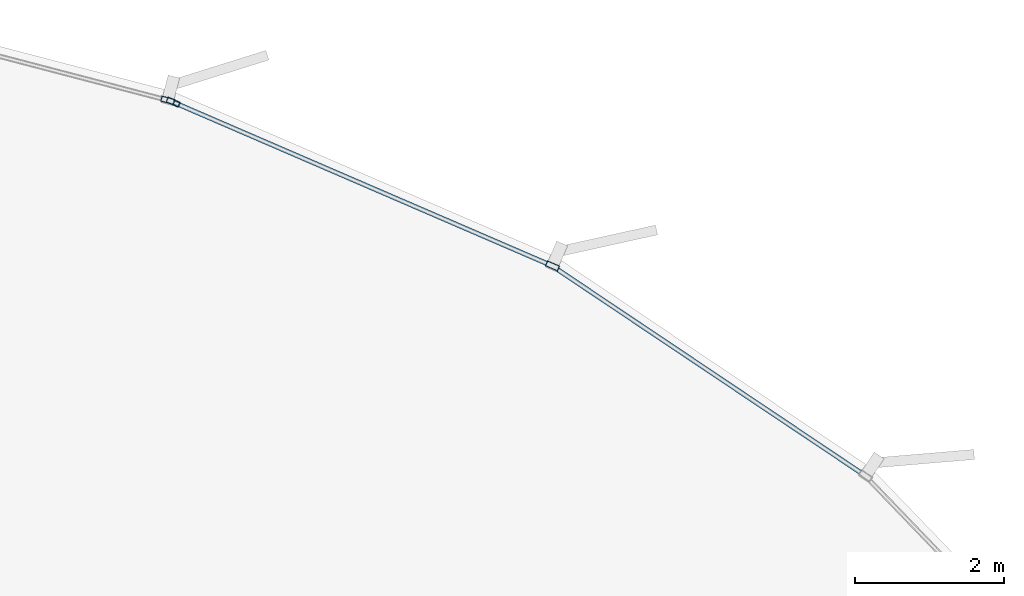
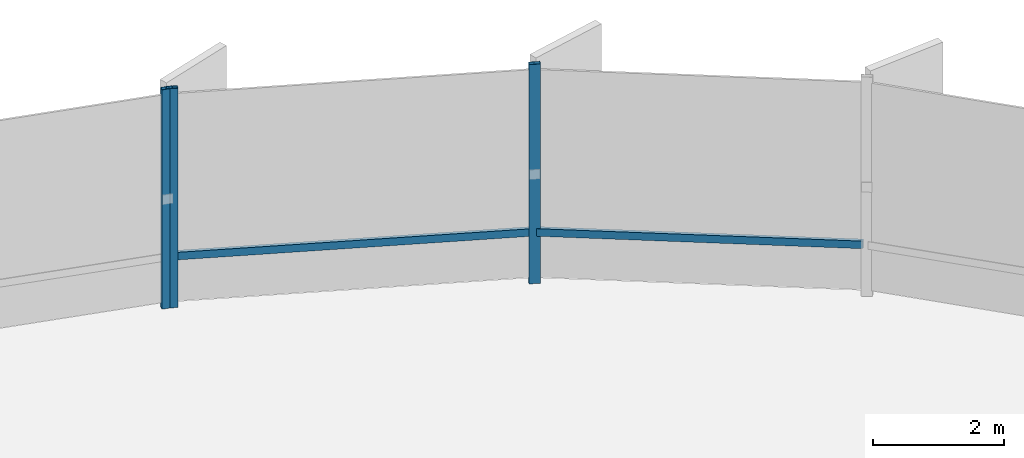
# One storey, part 22 of 34: 5 members, 2 elements without a shape of their own.
"""IFC4 building model written with IfcOpenShell, lengths in metres."""

from ifc_helpers import new_model, si_unit, direction, frame, origin, origin_2d, place, context, subcontext, project, spatial, hollow_rectangle, extrude, source, transform, mapped, material, layer, layer_set, material_profile, profile_set, type_object, element, aggregate, save


model = new_model("IFC4")

# Units and contexts
model_context = context("Model", 3, precision=1e-05, world=origin(), true_north=direction((0.0, 1.0)))
body_context = subcontext(model_context, "Body", "Model", "MODEL_VIEW")
ifc_project = project(units=[si_unit("LENGTHUNIT", "METRE"), si_unit("AREAUNIT", "SQUARE_METRE"), si_unit("VOLUMEUNIT", "CUBIC_METRE"), si_unit("PLANEANGLEUNIT", "RADIAN"), si_unit("MASSUNIT", "GRAM", prefix="KILO"), si_unit("THERMODYNAMICTEMPERATUREUNIT", "KELVIN")], contexts=[model_context])

# Site, building, storey
site_placement = place(None, origin())
site = spatial("IfcSite", under=ifc_project, at=site_placement, CompositionType="ELEMENT")
building_placement = place(site_placement, origin())
building = spatial("IfcBuilding", under=site, at=building_placement, Name="Kethvar Cultural Tower", CompositionType="ELEMENT")
storey_placement = place(building_placement, frame((0.0, 0.0, 19.60009765625)))
storey = spatial("IfcBuildingStorey", under=building, at=storey_placement, Name="L04", CompositionType="ELEMENT", Elevation=19.60009765625)

# Curtain wall, members
ifc_material = material(Name="Aluminium 6063-T6", Category="aluminium")
ifc_layer = layer(ifc_material, 0.179931640625, Name="Aluminium 6063-T6", Category="aluminium")
ifc_layer_set = layer_set([ifc_layer], Name="Aluminium 6063-T6 (180 mm)")
curtain_wall_type = type_object("IfcCurtainWallType", Name="CW-SYS-01-POD", PredefinedType="NOTDEFINED", material=ifc_layer_set)
curtain_wall_1_placement = place(storey_placement, origin())
curtain_wall_1 = element("IfcCurtainWall", 1, at=curtain_wall_1_placement, inside=storey, type_object=curtain_wall_type, Name="L04 Curtain Wall Run 01", PredefinedType="NOTDEFINED")
ifc_material_profile_1 = material_profile(ifc_material, hollow_rectangle(XDim=0.06005859375, YDim=0.139892578125, WallThickness=0.0048828125, at=origin_2d()), Name="Aluminium 6063-T6 — RHS140x60x5")
ifc_profile_set_1 = profile_set([ifc_material_profile_1], Name="Aluminium 6063-T6 — RHS140x60x5")
member_type_1 = type_object("IfcMemberType", Name="CW-SYS-01-POD-TRN", PredefinedType="USERDEFINED", material=ifc_profile_set_1)
shared_shape_1 = source(origin(), body_context, "Body", "SweptSolid", [
    extrude(hollow_rectangle(XDim=0.06005859375, YDim=0.139892578125, WallThickness=0.0048828125, at=origin_2d()), origin(), (0.0, 0.0, 1.0), 4.991455078125),
])
member_1_placement = place(storey_placement, frame((75.44580078125, 47.367919921875, 0.949951171875), z_axis=(-0.830806616573, 0.556561196867, 0.0), x_axis=(-0.556561196867, -0.830806616573, 0.0)))
member_1 = element("IfcMember", 2, at=member_1_placement, type_object=member_type_1, Name="CW-L04-R01 Transom 5", ObjectType="TRANSOM", PredefinedType="USERDEFINED", context=body_context, shape_type="MappedRepresentation", body=[
    mapped(shared_shape_1, transform((0.0, 0.0, 0.0), scale=1.0)),
])
shared_shape_2 = source(origin(), body_context, "Body", "SweptSolid", [
    extrude(hollow_rectangle(XDim=0.06005859375, YDim=0.139892578125, WallThickness=0.0048828125, at=origin_2d()), origin(), (0.0, 0.0, 1.0), 5.504638671875),
])
member_2_placement = place(storey_placement, frame((71.22509765625, 50.18603515625, 0.949951171875), z_axis=(-0.918072625283, 0.39641222825, 0.0), x_axis=(-0.39641222825, -0.918072625283, 0.0)))
member_2 = element("IfcMember", 3, at=member_2_placement, type_object=member_type_1, Name="CW-L04-R01 Transom 6", ObjectType="TRANSOM", PredefinedType="USERDEFINED", context=body_context, shape_type="MappedRepresentation", body=[
    mapped(shared_shape_2, transform((0.0, 0.0, 0.0), scale=1.0)),
])
ifc_material_profile_2 = material_profile(ifc_material, hollow_rectangle(XDim=0.074951171875, YDim=0.179931640625, WallThickness=0.006103515625, at=origin_2d()), Name="Aluminium 6063-T6 — RHS180x75x6")
ifc_profile_set_2 = profile_set([ifc_material_profile_2], Name="Aluminium 6063-T6 — RHS180x75x6")
member_type_2 = type_object("IfcMemberType", Name="CW-SYS-01-POD-MUL", PredefinedType="MULLION", material=ifc_profile_set_2)
shared_shape_3 = source(origin(), body_context, "Body", "SweptSolid", [
    extrude(hollow_rectangle(XDim=0.074951171875, YDim=0.179931640625, WallThickness=0.006103515625, at=origin_2d()), origin(), (0.0, 0.0, 1.0), 4.079833984375),
])
member_3_placement = place(storey_placement, frame((71.27490234375, 50.164794921875, 0.0), z_axis=(0.0, 0.0, 1.0), x_axis=(-0.396410942082, -0.918073180633, 0.0)))
member_3 = element("IfcMember", 4, at=member_3_placement, type_object=member_type_2, Name="CW-L04-R01 Mullion 6", PredefinedType="MULLION", context=body_context, shape_type="MappedRepresentation", body=[
    mapped(shared_shape_3, transform((0.0, 0.0, 0.0), scale=1.0)),
])
member_4_placement = place(storey_placement, frame((66.16650390625, 52.370361328125, 0.0), z_axis=(0.0, 0.0, 1.0), x_axis=(-0.396410942082, -0.918073180633, 0.0)))
member_4 = element("IfcMember", 5, at=member_4_placement, type_object=member_type_2, Name="CW-L04-R01 Mullion 7", PredefinedType="MULLION", context=body_context, shape_type="MappedRepresentation", body=[
    mapped(shared_shape_3, transform((0.0, 0.0, 0.0), scale=1.0)),
])
aggregate(curtain_wall_1, [member_3, member_4, member_1, member_2])

# Curtain wall, member
curtain_wall_2_placement = place(storey_placement, origin())
curtain_wall_2 = element("IfcCurtainWall", 6, at=curtain_wall_2_placement, inside=storey, type_object=curtain_wall_type, Name="L04 Curtain Wall Run 02", PredefinedType="NOTDEFINED")
member_5_placement = place(storey_placement, frame((66.09326171875, 52.3955078125, 0.0), z_axis=(0.0, 0.0, 1.0), x_axis=(-0.253031946887, -0.967457923558, 0.0)))
member_5 = element("IfcMember", 7, at=member_5_placement, type_object=member_type_2, Name="CW-L04-R02 Mullion 1", PredefinedType="MULLION", context=body_context, shape_type="MappedRepresentation", body=[
    mapped(shared_shape_3, transform((0.0, 0.0, 0.0), scale=1.0)),
])
aggregate(curtain_wall_2, [member_5])

save(model, "model.ifc")
